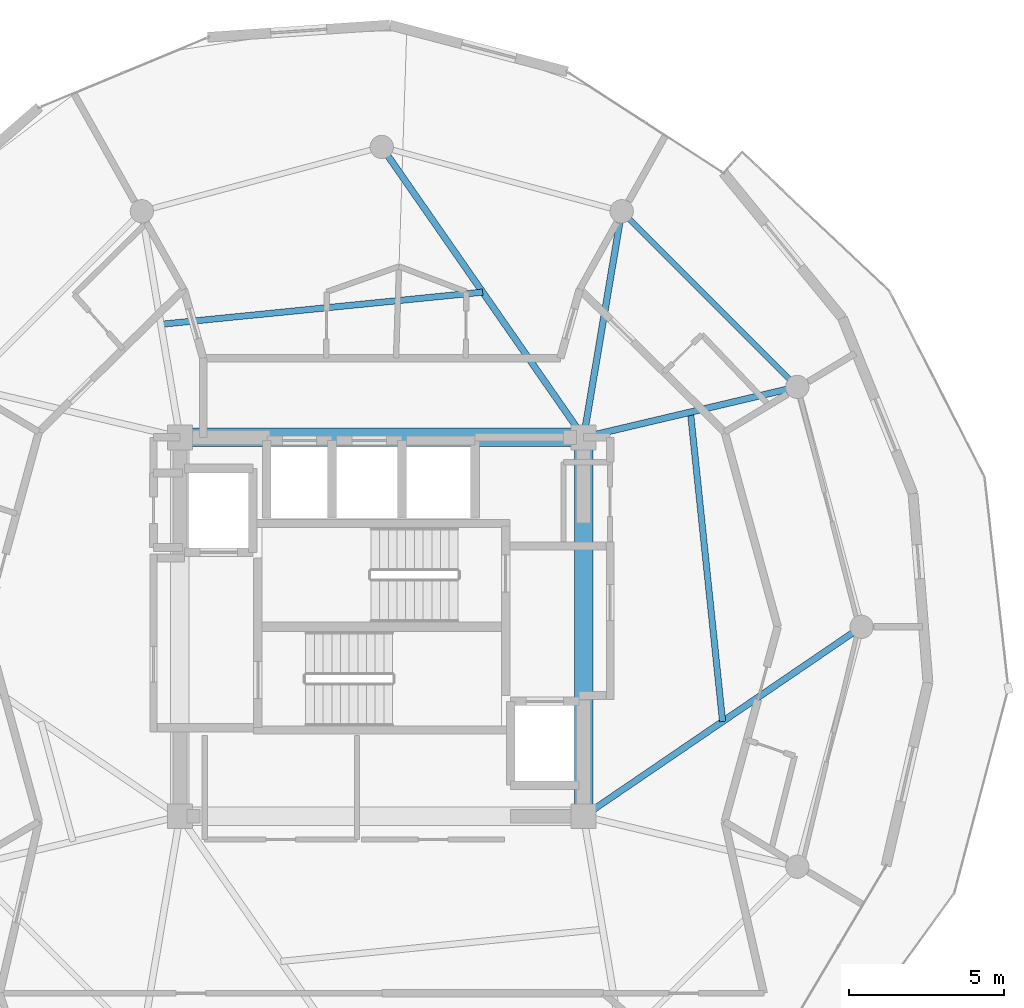
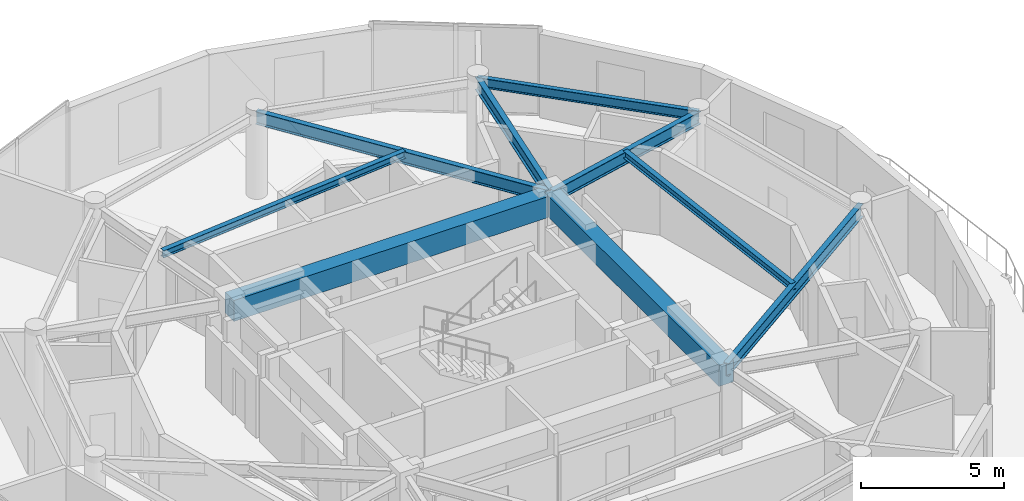
# One storey, part 11 of 22: 9 beams.
"""IFC4 building model written with IfcOpenShell, lengths in metres."""

from ifc_helpers import new_model, si_unit, direction, frame, origin, origin_2d, place, context, subcontext, project, spatial, rectangle, i_section, extrude, material, material_profile, profile_set, type_object, element, save


model = new_model("IFC4")

# Units and contexts
model_context = context("Model", 3, precision=1e-05, world=origin(), true_north=direction((0.0, 1.0)))
body_context = subcontext(model_context, "Body", "Model", "MODEL_VIEW")
ifc_project = project(units=[si_unit("LENGTHUNIT", "METRE"), si_unit("AREAUNIT", "SQUARE_METRE"), si_unit("VOLUMEUNIT", "CUBIC_METRE"), si_unit("PLANEANGLEUNIT", "RADIAN"), si_unit("MASSUNIT", "GRAM", prefix="KILO")], contexts=[model_context])

# Site, building, storey
site_placement = place(None, origin())
site = spatial("IfcSite", under=ifc_project, at=site_placement, CompositionType="ELEMENT")
building_placement = place(site_placement, origin())
building = spatial("IfcBuilding", under=site, at=building_placement, Name="Solvirekh Grand Hotel", CompositionType="ELEMENT")
storey_placement = place(building_placement, frame((0.0, 0.0, 239.199951171875)))
storey = spatial("IfcBuildingStorey", under=building, at=storey_placement, Name="L62", CompositionType="ELEMENT", Elevation=239.199951171875)

# Beams
ifc_material_1 = material(Name="Concrete C50/60", Category="concrete")
ifc_material_profile_1 = material_profile(ifc_material_1, rectangle(XDim=0.60009765625, YDim=0.89990234375, at=origin_2d()), Name="RC BEAM 600X900")
ifc_profile_set_1 = profile_set([ifc_material_profile_1], Name="Concrete C50/60")
beam_type_1 = type_object("IfcBeamType", Name="Beam_Core_RC900", PredefinedType="BEAM", material=ifc_profile_set_1)
beam_1_placement = place(storey_placement, frame((6.5, -6.10009765625, 3.1201171875), z_axis=(0.0, 1.0, 0.0), x_axis=(-1.0, 0.0, 0.0)))
element("IfcBeam", 1, at=beam_1_placement, inside=storey, type_object=beam_type_1, Name="L62 core coupling ring beam 2", PredefinedType="BEAM", context=body_context, shape_type="SweptSolid", body=[
    extrude(rectangle(XDim=0.60009765625, YDim=0.89990234375, at=origin_2d()), origin(), (0.0, 0.0, 1.0), 12.2001953125),
])
beam_2_placement = place(storey_placement, frame((6.5, 6.10009765625, 3.1201171875), z_axis=(-1.0, 0.0, 0.0), x_axis=(0.0, -1.0, 0.0)))
element("IfcBeam", 2, at=beam_2_placement, inside=storey, type_object=beam_type_1, Name="L62 core coupling ring beam 3", PredefinedType="BEAM", context=body_context, shape_type="SweptSolid", body=[
    extrude(rectangle(XDim=0.60009765625, YDim=0.89990234375, at=origin_2d()), origin(), (0.0, 0.0, 1.0), 13.0),
])
ifc_material_2 = material(Name="Steel S355", Category="steel")
ifc_material_profile_2 = material_profile(ifc_material_2, i_section(OverallWidth=0.2119140625, OverallDepth=0.5439453125, WebThickness=0.011962890625, FlangeThickness=0.01904296875, FilletRadius=0.013916015625, at=origin_2d()), Name="W530X123")
ifc_profile_set_2 = profile_set([ifc_material_profile_2], Name="Steel S355")
beam_type_2 = type_object("IfcBeamType", Name="Beam_Radial_W530H", PredefinedType="BEAM", material=ifc_profile_set_2)
beam_3_placement = place(storey_placement, frame((6.5, -6.10009765625, 3.298095703125), z_axis=(0.826319370306, 0.563201827285, 0.0), x_axis=(-0.563201827285, 0.826319370306, 0.0)))
element("IfcBeam", 3, at=beam_3_placement, inside=storey, type_object=beam_type_2, Name="L62 radial floor beam R01", PredefinedType="BEAM", context=body_context, shape_type="SweptSolid", body=[
    extrude(i_section(OverallWidth=0.2119140625, OverallDepth=0.5439453125, WebThickness=0.011962890625, FlangeThickness=0.01904296875, FilletRadius=0.013916015625, at=origin_2d()), origin(), (0.0, 0.0, 1.0), 10.8310546875),
])
beam_4_placement = place(storey_placement, frame((6.5, 6.10009765625, 3.298095703125), z_axis=(0.973221147544, 0.229870828888, 0.0), x_axis=(-0.229870828888, 0.973221147544, 0.0)))
element("IfcBeam", 4, at=beam_4_placement, inside=storey, type_object=beam_type_2, Name="L62 radial floor beam R02", PredefinedType="BEAM", context=body_context, shape_type="SweptSolid", body=[
    extrude(i_section(OverallWidth=0.2119140625, OverallDepth=0.5439453125, WebThickness=0.011962890625, FlangeThickness=0.01904296875, FilletRadius=0.013916015625, at=origin_2d()), origin(), (0.0, 0.0, 1.0), 7.069091796875),
])
beam_5_placement = place(storey_placement, frame((6.5, 6.10009765625, 3.298095703125), z_axis=(0.165954049106, 0.986133486697, 0.0), x_axis=(-0.986133486697, 0.165954049106, 0.0)))
element("IfcBeam", 5, at=beam_5_placement, inside=storey, type_object=beam_type_2, Name="L62 radial floor beam R03", PredefinedType="BEAM", context=body_context, shape_type="SweptSolid", body=[
    extrude(i_section(OverallWidth=0.2119140625, OverallDepth=0.5439453125, WebThickness=0.011962890625, FlangeThickness=0.01904296875, FilletRadius=0.013916015625, at=origin_2d()), origin(), (0.0, 0.0, 1.0), 7.382080078125),
])
beam_6_placement = place(storey_placement, frame((6.5, 6.10009765625, 3.298095703125), z_axis=(-0.570813192472, 0.821079959139, 0.0), x_axis=(-0.821079959139, -0.570813192472, 0.0)))
element("IfcBeam", 6, at=beam_6_placement, inside=storey, type_object=beam_type_2, Name="L62 radial floor beam R04", PredefinedType="BEAM", context=body_context, shape_type="SweptSolid", body=[
    extrude(i_section(OverallWidth=0.2119140625, OverallDepth=0.5439453125, WebThickness=0.011962890625, FlangeThickness=0.01904296875, FilletRadius=0.013916015625, at=origin_2d()), origin(), (0.0, 0.0, 1.0), 11.38720703125),
])
ifc_material_profile_3 = material_profile(ifc_material_2, i_section(OverallWidth=0.202880859375, OverallDepth=0.302978515625, WebThickness=0.008056640625, FlangeThickness=0.012939453125, FilletRadius=0.010009765625, at=origin_2d()), Name="W310X60")
ifc_profile_set_3 = profile_set([ifc_material_profile_3], Name="Steel S355")
beam_type_3 = type_object("IfcBeamType", Name="Joist_Floor_W310", PredefinedType="JOIST", material=ifc_profile_set_3)
beam_7_placement = place(storey_placement, frame((10.97509765625, -3.050048828125, 3.4189453125), z_axis=(-0.103352382469, 0.994644803454, 0.0), x_axis=(-0.994644803454, -0.103352382469, 0.0)))
element("IfcBeam", 7, at=beam_7_placement, inside=storey, type_object=beam_type_3, Name="L62 secondary composite floor joist 1", PredefinedType="JOIST", context=body_context, shape_type="SweptSolid", body=[
    extrude(i_section(OverallWidth=0.202880859375, OverallDepth=0.302978515625, WebThickness=0.008056640625, FlangeThickness=0.012939453125, FilletRadius=0.010009765625, at=origin_2d()), origin(), (0.0, 0.0, 1.0), 10.015869140625),
])
beam_8_placement = place(storey_placement, frame((3.25, 10.77490234375, 3.4189453125), z_axis=(-0.995049485097, -0.099380693338, 0.0), x_axis=(0.099380693338, -0.995049485097, 0.0)))
element("IfcBeam", 8, at=beam_8_placement, inside=storey, type_object=beam_type_3, Name="L62 secondary composite floor joist 4", PredefinedType="JOIST", context=body_context, shape_type="SweptSolid", body=[
    extrude(i_section(OverallWidth=0.202880859375, OverallDepth=0.302978515625, WebThickness=0.008056640625, FlangeThickness=0.012939453125, FilletRadius=0.010009765625, at=origin_2d()), origin(), (0.0, 0.0, 1.0), 10.41357421875),
])
ifc_material_profile_4 = material_profile(ifc_material_2, i_section(OverallWidth=0.180908203125, OverallDepth=0.4169921875, WebThickness=0.010009765625, FlangeThickness=0.01611328125, FilletRadius=0.011962890625, at=origin_2d()), Name="W410X85")
ifc_profile_set_4 = profile_set([ifc_material_profile_4], Name="Steel S355")
beam_type_4 = type_object("IfcBeamType", Name="Spandrel_Ring_W410", PredefinedType="SPANDREL", material=ifc_profile_set_4)
beam_9_placement = place(storey_placement, frame((13.3798828125, 7.72509765625, 3.362060546875), z_axis=(-0.707106781187, 0.707106781187, 0.0), x_axis=(-0.707106781187, -0.707106781187, 0.0)))
element("IfcBeam", 9, at=beam_9_placement, inside=storey, type_object=beam_type_4, Name="L62 perimeter spandrel beam 2", PredefinedType="SPANDREL", context=body_context, shape_type="SweptSolid", body=[
    extrude(i_section(OverallWidth=0.180908203125, OverallDepth=0.4169921875, WebThickness=0.010009765625, FlangeThickness=0.01611328125, FilletRadius=0.011962890625, at=origin_2d()), origin(), (0.0, 0.0, 1.0), 7.9970703125),
])

save(model, "model.ifc")
